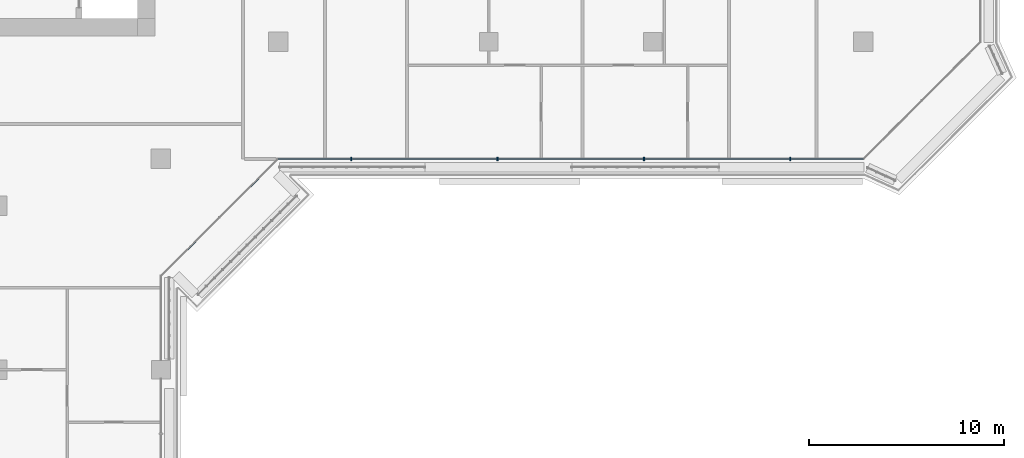
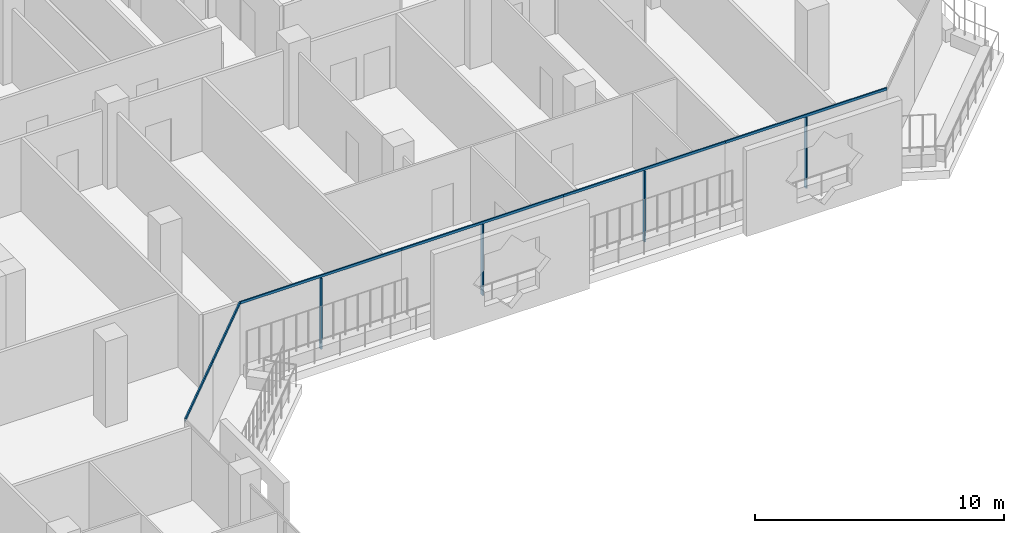
# One storey, part 3 of 22: 10 members, 2 elements without a shape of their own.
"""IFC4 building model written with IfcOpenShell, lengths in metres."""

from ifc_helpers import new_model, si_unit, direction, frame, origin, origin_2d, place, context, subcontext, project, spatial, rectangle, extrude, material, layer, layer_set, material_profile, profile_set, type_object, element, aggregate, save


model = new_model("IFC4")

# Units and contexts
model_context = context("Model", 3, precision=1e-05, world=origin(), true_north=direction((0.0, 1.0)))
body_context = subcontext(model_context, "Body", "Model", "MODEL_VIEW")
ifc_project = project(units=[si_unit("LENGTHUNIT", "METRE"), si_unit("AREAUNIT", "SQUARE_METRE"), si_unit("VOLUMEUNIT", "CUBIC_METRE"), si_unit("PLANEANGLEUNIT", "RADIAN"), si_unit("MASSUNIT", "GRAM", prefix="KILO")], contexts=[model_context])

# Site, building, storey
site_placement = place(None, origin())
site = spatial("IfcSite", under=ifc_project, at=site_placement, CompositionType="ELEMENT")
building_placement = place(site_placement, origin())
building = spatial("IfcBuilding", under=site, at=building_placement, Name="Kawkab Arch Medical Tower", CompositionType="ELEMENT")
storey_placement = place(building_placement, frame((0.0, 0.0, 183.60009765625)))
storey = spatial("IfcBuildingStorey", under=building, at=storey_placement, Name="L42", CompositionType="ELEMENT", Elevation=183.60009765625)

# Curtain wall, members
ifc_material_1 = material(Name="Bronze anodised aluminium curtain wall frame", Category="aluminium")
ifc_layer_1 = layer(ifc_material_1, 0.159912109375)
ifc_layer_set_1 = layer_set([ifc_layer_1], Name="Bronze anodised aluminium curtain wall frame")
curtain_wall_type_1 = type_object("IfcCurtainWallType", Name="CW1 ward curtain wall", PredefinedType="NOTDEFINED", material=ifc_layer_set_1)
placement = place(storey_placement, origin())
curtain_wall_1 = element("IfcCurtainWall", 1, at=placement, inside=storey, type_object=curtain_wall_type_1, Name="CW1 Ward curtain wall R07", PredefinedType="NOTDEFINED")
ifc_material_2 = material(Name="Bronze anodised aluminium curtain wall frame", Category="aluminium")
ifc_material_profile_1 = material_profile(ifc_material_2, rectangle(XDim=0.179931640625, YDim=0.06005859375, at=origin_2d()), Name="AL 60x180")
ifc_profile_set_1 = profile_set([ifc_material_profile_1], Name="Bronze anodised aluminium curtain wall frame")
member_type_1 = type_object("IfcMemberType", Name="CW1 mullion 60 x 180", PredefinedType="MULLION", material=ifc_profile_set_1)
member_1_placement = place(storey_placement, frame((34.949951171875, -31.199951171875, 0.0), z_axis=(0.0, 0.0, 1.0), x_axis=(0.0, 1.0, 0.0)))
member_1 = element("IfcMember", 2, at=member_1_placement, type_object=member_type_1, Name="CW1 mullion 1.1", PredefinedType="MULLION", context=body_context, shape_type="SweptSolid", body=[
    extrude(rectangle(XDim=0.179931640625, YDim=0.06005859375, at=origin_2d()), origin(), (0.0, 0.0, 1.0), 3.47998046875),
])
member_2_placement = place(storey_placement, frame((42.449951171875, -31.199951171875, 0.0), z_axis=(0.0, 0.0, 1.0), x_axis=(0.0, 1.0, 0.0)))
member_2 = element("IfcMember", 3, at=member_2_placement, type_object=member_type_1, Name="CW1 mullion 2.1", PredefinedType="MULLION", context=body_context, shape_type="SweptSolid", body=[
    extrude(rectangle(XDim=0.179931640625, YDim=0.06005859375, at=origin_2d()), origin(), (0.0, 0.0, 1.0), 3.47998046875),
])
member_3_placement = place(storey_placement, frame((49.949951171875, -31.199951171875, 0.0), z_axis=(0.0, 0.0, 1.0), x_axis=(0.0, 1.0, 0.0)))
member_3 = element("IfcMember", 4, at=member_3_placement, type_object=member_type_1, Name="CW1 mullion 3.1", PredefinedType="MULLION", context=body_context, shape_type="SweptSolid", body=[
    extrude(rectangle(XDim=0.179931640625, YDim=0.06005859375, at=origin_2d()), origin(), (0.0, 0.0, 1.0), 3.47998046875),
])
member_4_placement = place(storey_placement, frame((57.449951171875, -31.199951171875, 0.0), z_axis=(0.0, 0.0, 1.0), x_axis=(0.0, 1.0, 0.0)))
member_4 = element("IfcMember", 5, at=member_4_placement, type_object=member_type_1, Name="CW1 mullion 4.1", PredefinedType="MULLION", context=body_context, shape_type="SweptSolid", body=[
    extrude(rectangle(XDim=0.179931640625, YDim=0.06005859375, at=origin_2d()), origin(), (0.0, 0.0, 1.0), 3.47998046875),
])
ifc_material_3 = material(Name="Bronze anodised aluminium curtain wall frame", Category="aluminium")
ifc_material_profile_2 = material_profile(ifc_material_3, rectangle(XDim=0.06005859375, YDim=0.1201171875, at=origin_2d()), Name="AL 60x120")
ifc_profile_set_2 = profile_set([ifc_material_profile_2], Name="Bronze anodised aluminium curtain wall frame")
member_type_2 = type_object("IfcMemberType", Name="CW1 transom 120 x 60", PredefinedType="USERDEFINED", material=ifc_profile_set_2)
member_5_placement = place(storey_placement, frame((31.199951171875, -31.199951171875, 3.539794921875), z_axis=(1.0, 0.0, 0.0), x_axis=(0.0, 1.0, 0.0)))
member_5 = element("IfcMember", 6, at=member_5_placement, type_object=member_type_2, Name="CW1 transom 1", ObjectType="TRANSOM", PredefinedType="USERDEFINED", context=body_context, shape_type="SweptSolid", body=[
    extrude(rectangle(XDim=0.06005859375, YDim=0.1201171875, at=origin_2d()), origin(), (0.0, 0.0, 1.0), 7.5),
])
member_6_placement = place(storey_placement, frame((38.699951171875, -31.199951171875, 3.539794921875), z_axis=(1.0, 0.0, 0.0), x_axis=(0.0, 1.0, 0.0)))
member_6 = element("IfcMember", 7, at=member_6_placement, type_object=member_type_2, Name="CW1 transom 2", ObjectType="TRANSOM", PredefinedType="USERDEFINED", context=body_context, shape_type="SweptSolid", body=[
    extrude(rectangle(XDim=0.06005859375, YDim=0.1201171875, at=origin_2d()), origin(), (0.0, 0.0, 1.0), 7.5),
])
member_7_placement = place(storey_placement, frame((46.199951171875, -31.199951171875, 3.539794921875), z_axis=(1.0, 0.0, 0.0), x_axis=(0.0, 1.0, 0.0)))
member_7 = element("IfcMember", 8, at=member_7_placement, type_object=member_type_2, Name="CW1 transom 3", ObjectType="TRANSOM", PredefinedType="USERDEFINED", context=body_context, shape_type="SweptSolid", body=[
    extrude(rectangle(XDim=0.06005859375, YDim=0.1201171875, at=origin_2d()), origin(), (0.0, 0.0, 1.0), 7.5),
])
member_8_placement = place(storey_placement, frame((53.699951171875, -31.199951171875, 3.539794921875), z_axis=(1.0, 0.0, 0.0), x_axis=(0.0, 1.0, 0.0)))
member_8 = element("IfcMember", 9, at=member_8_placement, type_object=member_type_2, Name="CW1 transom 4", ObjectType="TRANSOM", PredefinedType="USERDEFINED", context=body_context, shape_type="SweptSolid", body=[
    extrude(rectangle(XDim=0.06005859375, YDim=0.1201171875, at=origin_2d()), origin(), (0.0, 0.0, 1.0), 7.5),
])
aggregate(curtain_wall_1, [member_5, member_1, member_6, member_2, member_7, member_3, member_8, member_4])

ifc_material_4 = material(Name="Bronze anodised aluminium curtain wall frame", Category="aluminium")
ifc_layer_2 = layer(ifc_material_4, 0.159912109375)
ifc_layer_set_2 = layer_set([ifc_layer_2], Name="Bronze anodised aluminium curtain wall frame")
curtain_wall_type_2 = type_object("IfcCurtainWallType", Name="CW2 chamfer curtain wall", PredefinedType="NOTDEFINED", material=ifc_layer_set_2)
curtain_wall_2 = element("IfcCurtainWall", 10, at=placement, inside=storey, type_object=curtain_wall_type_2, Name="CW2 Chamfer curtain wall R06", PredefinedType="NOTDEFINED")
ifc_material_5 = material(Name="Bronze anodised aluminium curtain wall frame", Category="aluminium")
ifc_material_profile_3 = material_profile(ifc_material_5, rectangle(XDim=0.06005859375, YDim=0.139892578125, at=origin_2d()), Name="AL 60x140")
ifc_profile_set_3 = profile_set([ifc_material_profile_3], Name="Bronze anodised aluminium curtain wall frame")
member_type_3 = type_object("IfcMemberType", Name="CW2 transom 140 x 60", PredefinedType="USERDEFINED", material=ifc_profile_set_3)
member_9_placement = place(storey_placement, frame((25.199951171875, -37.199951171875, 3.52978515625), z_axis=(0.707106781187, 0.707106781187, 0.0), x_axis=(-0.707106781187, 0.707106781187, 0.0)))
member_9 = element("IfcMember", 11, at=member_9_placement, type_object=member_type_3, Name="CW2 transom 1", ObjectType="TRANSOM", PredefinedType="USERDEFINED", context=body_context, shape_type="SweptSolid", body=[
    extrude(rectangle(XDim=0.06005859375, YDim=0.139892578125, at=origin_2d()), origin(), (0.0, 0.0, 1.0), 4.24267578125),
])
member_10_placement = place(storey_placement, frame((28.199951171875, -34.199951171875, 3.52978515625), z_axis=(0.707106781187, 0.707106781187, 0.0), x_axis=(-0.707106781187, 0.707106781187, 0.0)))
member_10 = element("IfcMember", 12, at=member_10_placement, type_object=member_type_3, Name="CW2 transom 2", ObjectType="TRANSOM", PredefinedType="USERDEFINED", context=body_context, shape_type="SweptSolid", body=[
    extrude(rectangle(XDim=0.06005859375, YDim=0.139892578125, at=origin_2d()), origin(), (0.0, 0.0, 1.0), 4.24267578125),
])
aggregate(curtain_wall_2, [member_9, member_10])

save(model, "model.ifc")
